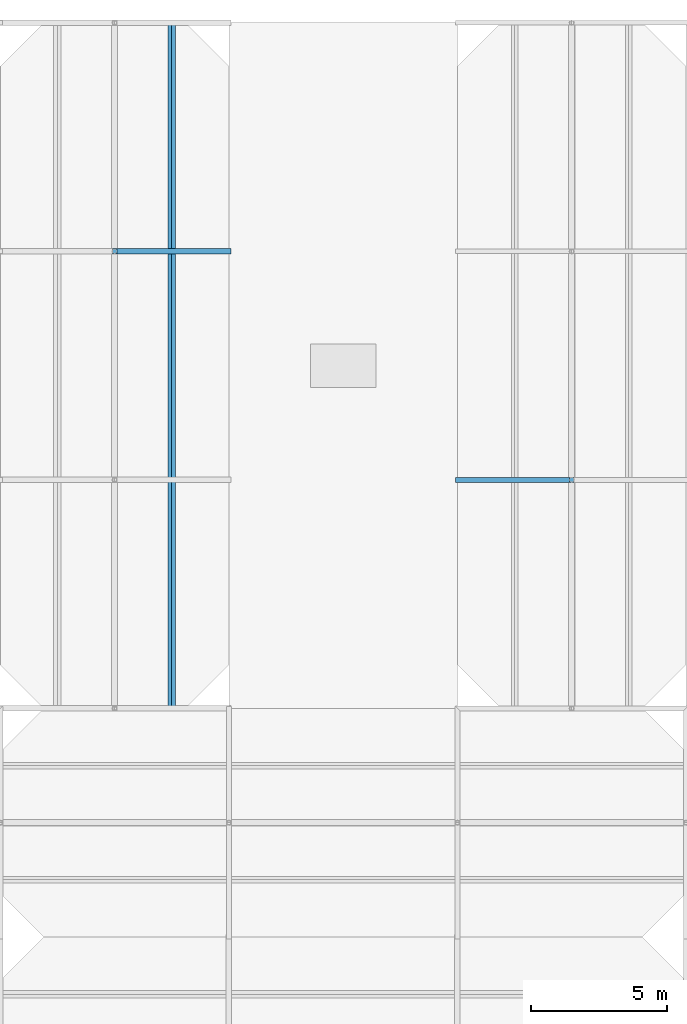
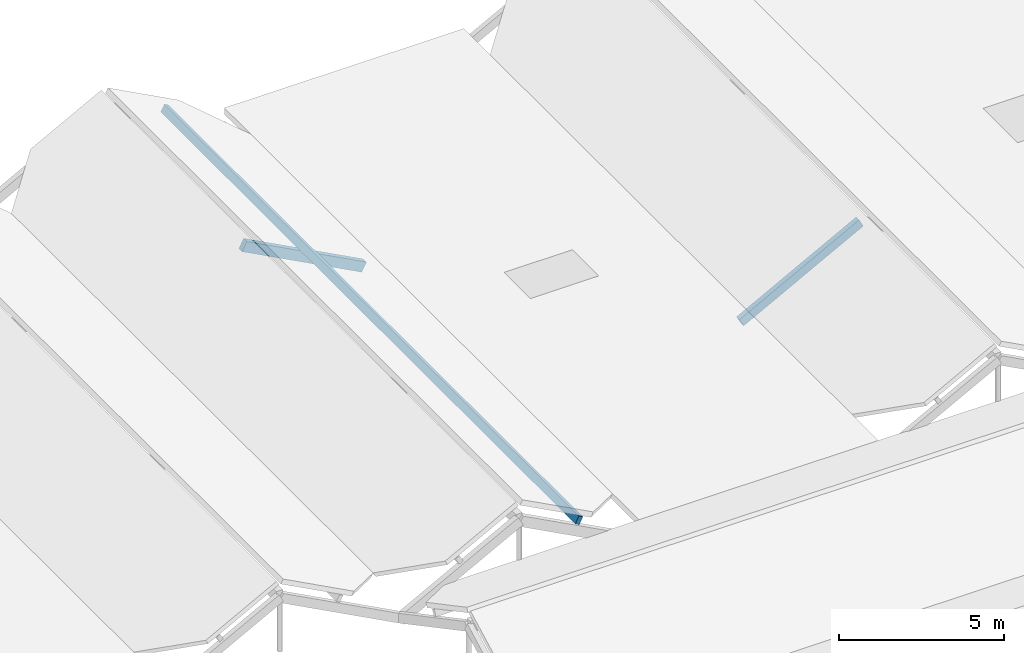
# One storey, part 63 of 82: 3 members.
"""IFC4 building model written with IfcOpenShell, lengths in metres."""

from ifc_helpers import new_model, si_unit, direction, frame, origin, origin_2d, place, context, subcontext, project, spatial, rectangle, extrude, material, material_profile, profile_set, type_object, element, save


model = new_model("IFC4")

# Units and contexts
model_context = context("Model", 3, precision=1e-05, world=origin(), true_north=direction((0.0, 1.0)))
body_context = subcontext(model_context, "Body", "Model", "MODEL_VIEW")
ifc_project = project(units=[si_unit("LENGTHUNIT", "METRE"), si_unit("AREAUNIT", "SQUARE_METRE"), si_unit("VOLUMEUNIT", "CUBIC_METRE"), si_unit("PLANEANGLEUNIT", "RADIAN"), si_unit("MASSUNIT", "GRAM", prefix="KILO")], contexts=[model_context])

# Site, building, storey
site_placement = place(None, origin())
site = spatial("IfcSite", under=ifc_project, at=site_placement, CompositionType="ELEMENT")
building_placement = place(site_placement, origin())
building = spatial("IfcBuilding", under=site, at=building_placement, Name="Bramfleet General Hospital", CompositionType="ELEMENT")
storey_placement = place(building_placement, frame((0.0, 0.0, 34.199951171875)))
storey = spatial("IfcBuildingStorey", under=building, at=storey_placement, Name="Roof", CompositionType="ELEMENT", Elevation=34.199951171875)

# Members
ifc_material = material(Name="Structural timber GL28h", Category="wood")
ifc_material_profile_1 = material_profile(ifc_material, rectangle(XDim=0.159912109375, YDim=0.280029296875, at=origin_2d()), Name="GL28h 280x160")
ifc_profile_set_1 = profile_set([ifc_material_profile_1], Name="Structural timber GL28h")
member_type_1 = type_object("IfcMemberType", Name="MEM-PR-GL280", PredefinedType="PURLIN", material=ifc_profile_set_1)
member_1_placement = place(storey_placement, frame((98.699951171875, 92.39990234375, 0.71533203125), z_axis=(0.0, 1.0, 0.0), x_axis=(-0.882947592859, 0.0, 0.469471562786)))
element("IfcMember", 1, at=member_1_placement, inside=storey, type_object=member_type_1, Name="Patient House PH-03 East Glulam Purlin", PredefinedType="PURLIN", context=body_context, shape_type="SweptSolid", body=[
    extrude(rectangle(XDim=0.159912109375, YDim=0.280029296875, at=origin_2d()), origin(), (0.0, 0.0, 1.0), 25.2001953125),
])
ifc_material_profile_2 = material_profile(ifc_material, rectangle(XDim=0.179931640625, YDim=0.320068359375, at=origin_2d()), Name="GL28h 320x180")
ifc_profile_set_2 = profile_set([ifc_material_profile_2], Name="Structural timber GL28h")
member_type_2 = type_object("IfcMemberType", Name="MEM-RF-GL320", PredefinedType="RAFTER", material=ifc_profile_set_2)
member_2_placement = place(storey_placement, frame((109.199951171875, 100.800048828125, -0.671875), z_axis=(0.882947536541, 0.0, 0.469471668705), x_axis=(0.0, 1.0, 0.0)))
element("IfcMember", 2, at=member_2_placement, inside=storey, type_object=member_type_2, Name="Patient House PH-04 West Glulam Rafter 1", PredefinedType="RAFTER", context=body_context, shape_type="SweptSolid", body=[
    extrude(rectangle(XDim=0.179931640625, YDim=0.320068359375, at=origin_2d()), origin(), (0.0, 0.0, 1.0), 4.7568359375),
])
ifc_material_profile_3 = material_profile(ifc_material, rectangle(XDim=0.199951171875, YDim=0.360107421875, at=origin_2d()), Name="GL28h 360x200")
ifc_profile_set_3 = profile_set([ifc_material_profile_3], Name="Structural timber GL28h")
member_type_3 = type_object("IfcMemberType", Name="MEM-RF-GL360", PredefinedType="RAFTER", material=ifc_profile_set_3)
member_3_placement = place(storey_placement, frame((96.60009765625, 109.199951171875, 1.476806640625), z_axis=(0.882947536541, 0.0, -0.469471668705), x_axis=(0.0, 1.0, 0.0)))
element("IfcMember", 3, at=member_3_placement, inside=storey, type_object=member_type_3, Name="Patient House PH-03 East Glulam Rafter 2", PredefinedType="RAFTER", context=body_context, shape_type="SweptSolid", body=[
    extrude(rectangle(XDim=0.199951171875, YDim=0.360107421875, at=origin_2d()), origin(), (0.0, 0.0, 1.0), 4.7568359375),
])

save(model, "model.ifc")
